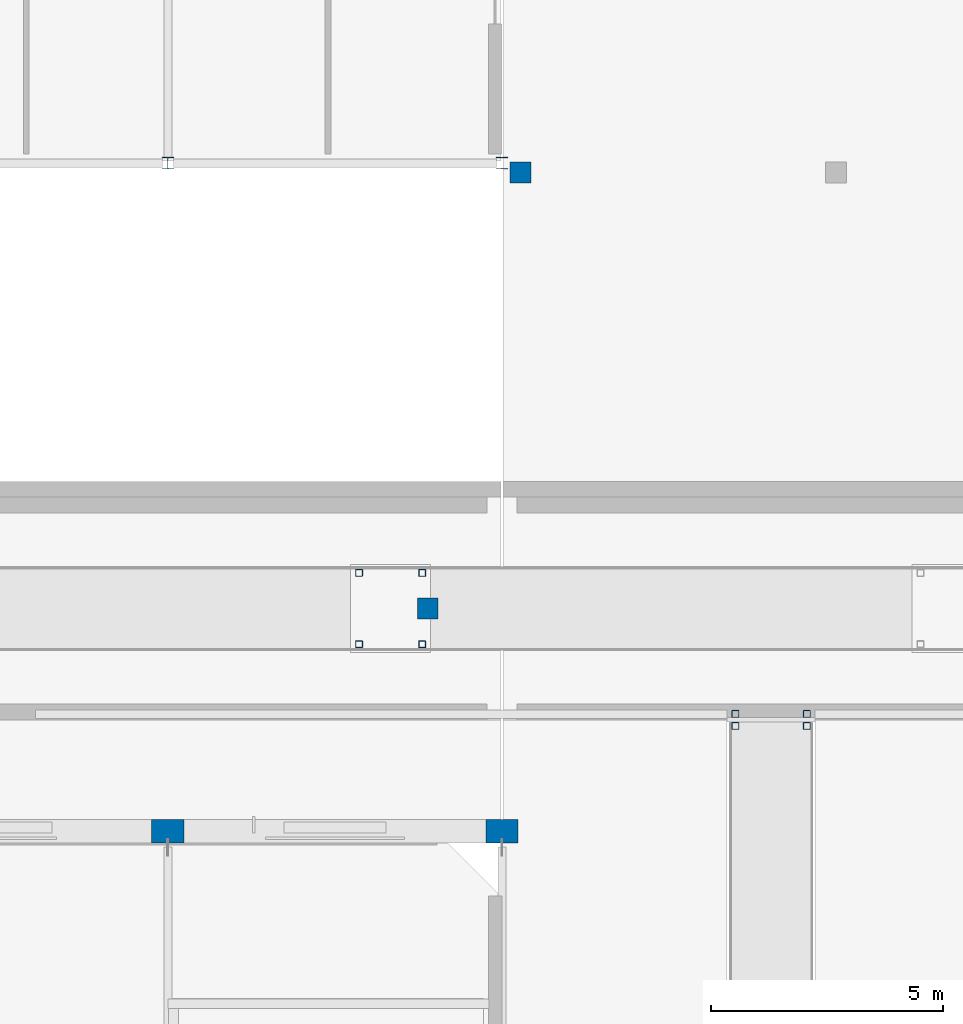
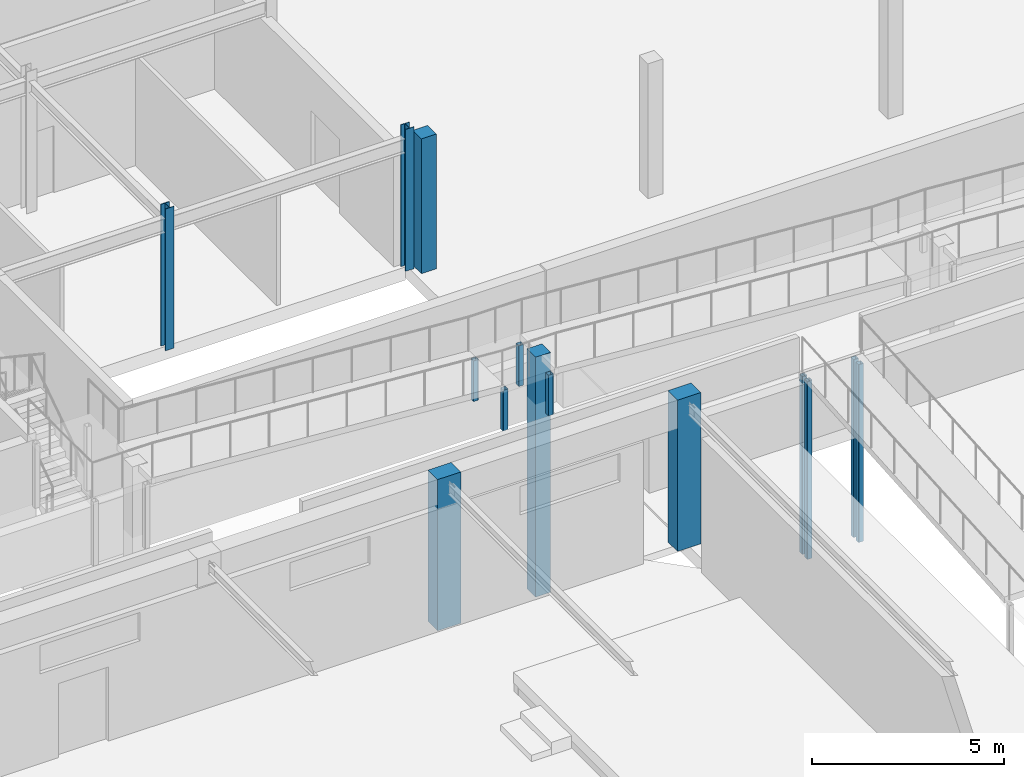
# One storey, part 18 of 85: 14 columns.
"""IFC4 building model written with IfcOpenShell, lengths in metres."""

from ifc_helpers import new_model, si_unit, direction, frame, origin, origin_2d, place, context, subcontext, project, spatial, rectangle, hollow_rectangle, i_section, extrude, material, material_profile, profile_set, type_object, element, save


model = new_model("IFC4")

# Units and contexts
model_context = context("Model", 3, precision=1e-05, world=origin(), true_north=direction((0.0, 1.0)))
body_context = subcontext(model_context, "Body", "Model", "MODEL_VIEW")
ifc_project = project(units=[si_unit("LENGTHUNIT", "METRE"), si_unit("AREAUNIT", "SQUARE_METRE"), si_unit("VOLUMEUNIT", "CUBIC_METRE"), si_unit("PLANEANGLEUNIT", "RADIAN"), si_unit("MASSUNIT", "GRAM", prefix="KILO")], contexts=[model_context])

# Site, building, storey
site_placement = place(None, origin())
site = spatial("IfcSite", under=ifc_project, at=site_placement, CompositionType="ELEMENT")
building_placement = place(site_placement, origin())
building = spatial("IfcBuilding", under=site, at=building_placement, Name="Ochrevale Crest", CompositionType="ELEMENT")
storey_placement = place(building_placement, origin())
storey = spatial("IfcBuildingStorey", under=building, at=storey_placement, Name="L00", CompositionType="ELEMENT", Elevation=0.0)

# Columns
ifc_material_1 = material(Name="Precast concrete C40/50", Category="concrete")
ifc_material_profile_1 = material_profile(ifc_material_1, rectangle(XDim=0.449951171875, YDim=0.449951171875, at=origin_2d()), Name="RC 450x450")
ifc_profile_set_1 = profile_set([ifc_material_profile_1], Name="Precast concrete C40/50")
column_type_1 = type_object("IfcColumnType", Name="COL-RC450x450", PredefinedType="COLUMN", material=ifc_profile_set_1)
column_1_placement = place(storey_placement, frame((106.39990234375, 69.60009765625, -3.860107421875), z_axis=(0.0, 0.0, 1.0), x_axis=(1.0, 0.0, 0.0)))
element("IfcColumn", 1, at=column_1_placement, inside=storey, type_object=column_type_1, Name="Foundation support pier FTG-PF-RE2B", PredefinedType="COLUMN", context=body_context, shape_type="SweptSolid", body=[
    extrude(rectangle(XDim=0.449951171875, YDim=0.449951171875, at=origin_2d()), origin(), (0.0, 0.0, 1.0), 7.610107421875),
])
column_2_placement = place(storey_placement, frame((108.39990234375, 79.0, 0.0), z_axis=(0.0, 0.0, 1.0), x_axis=(1.0, 0.0, 0.0)))
element("IfcColumn", 2, at=column_2_placement, inside=storey, type_object=column_type_1, Name="Step 3 promenade support column", PredefinedType="COLUMN", context=body_context, shape_type="SweptSolid", body=[
    extrude(rectangle(XDim=0.449951171875, YDim=0.449951171875, at=origin_2d()), origin(), (0.0, 0.0, 1.0), 4.27490234375),
])
ifc_material_2 = material(Name="Precast concrete C50/60", Category="concrete")
ifc_material_profile_2 = material_profile(ifc_material_2, rectangle(XDim=0.5, YDim=0.699951171875, at=origin_2d()), Name="RC 500x700")
ifc_profile_set_2 = profile_set([ifc_material_profile_2], Name="Precast concrete C50/60")
column_type_2 = type_object("IfcColumnType", Name="COL-RC500x700", PredefinedType="COLUMN", material=ifc_profile_set_2)
for number, where, z_axis, x_axis, name in (
    (3, (100.800048828125, 64.800048828125, 0.0), (0.0, 0.0, 1.0), (0.0, 1.0, 0.0), "Community Hall buttress column 7-N"),
    (4, (108.0, 64.800048828125, 0.0), (0.0, 0.0, 1.0), (0.0, 1.0, 0.0), "Community Hall buttress column 8-N"),
):
    element("IfcColumn", number, at=place(storey_placement, frame(where, z_axis=z_axis, x_axis=x_axis)), inside=storey, type_object=column_type_2, Name=name, PredefinedType="COLUMN", context=body_context, shape_type="SweptSolid", body=[
        extrude(rectangle(XDim=0.5, YDim=0.699951171875, at=origin_2d()), origin(), (0.0, 0.0, 1.0), 4.800048828125),
    ])
ifc_material_3 = material(Name="Steel S355", Category="steel")
ifc_material_profile_3 = material_profile(ifc_material_3, hollow_rectangle(XDim=0.14990234375, YDim=0.14990234375, WallThickness=0.006103515625, InnerFilletRadius=0.006103515625, OuterFilletRadius=0.011962890625, at=origin_2d()), Name="150x150x6.0SHS")
ifc_profile_set_3 = profile_set([ifc_material_profile_3], Name="Steel S355")
column_type_3 = type_object("IfcColumnType", Name="COL-SHS150", PredefinedType="COLUMN", material=ifc_profile_set_3)
for number, where, z_axis, x_axis, name in (
    (5, (113.030029296875, 67.330078125, -3.60009765625), (0.0, 0.0, 1.0), (1.0, 0.0, 0.0), "Ramp landing RMP-ACC-E1-TOP support post 1"),
    (6, (114.570068359375, 67.330078125, -3.60009765625), (0.0, 0.0, 1.0), (1.0, 0.0, 0.0), "Ramp landing RMP-ACC-E1-TOP support post 2"),
    (7, (113.030029296875, 67.070068359375, -3.60009765625), (0.0, 0.0, 1.0), (1.0, 0.0, 0.0), "Ramp landing RMP-ACC-E1-TOP support post 3"),
    (8, (114.570068359375, 67.070068359375, -3.60009765625), (0.0, 0.0, 1.0), (1.0, 0.0, 0.0), "Ramp landing RMP-ACC-E1-TOP support post 4"),
):
    element("IfcColumn", number, at=place(storey_placement, frame(where, z_axis=z_axis, x_axis=x_axis)), inside=storey, type_object=column_type_3, Name=name, PredefinedType="COLUMN", context=body_context, shape_type="SweptSolid", body=[
        extrude(hollow_rectangle(XDim=0.14990234375, YDim=0.14990234375, WallThickness=0.006103515625, InnerFilletRadius=0.006103515625, OuterFilletRadius=0.011962890625, at=origin_2d()), origin(), (0.0, 0.0, 1.0), 5.64013671875),
    ])
for number, where, z_axis, x_axis, name in (
    (9, (104.919921875, 68.830078125, 2.25), (0.0, 0.0, 1.0), (1.0, 0.0, 0.0), "Ramp landing RMP-ACC-E2-L2 support post 1"),
    (10, (106.280029296875, 68.830078125, 2.25), (0.0, 0.0, 1.0), (1.0, 0.0, 0.0), "Ramp landing RMP-ACC-E2-L2 support post 2"),
    (11, (104.919921875, 70.3701171875, 2.25), (0.0, 0.0, 1.0), (1.0, 0.0, 0.0), "Ramp landing RMP-ACC-E2-L2 support post 3"),
    (12, (106.280029296875, 70.3701171875, 2.25), (0.0, 0.0, 1.0), (1.0, 0.0, 0.0), "Ramp landing RMP-ACC-E2-L2 support post 4"),
):
    element("IfcColumn", number, at=place(storey_placement, frame(where, z_axis=z_axis, x_axis=x_axis)), inside=storey, type_object=column_type_3, Name=name, PredefinedType="COLUMN", context=body_context, shape_type="SweptSolid", body=[
        extrude(hollow_rectangle(XDim=0.14990234375, YDim=0.14990234375, WallThickness=0.006103515625, InnerFilletRadius=0.006103515625, OuterFilletRadius=0.011962890625, at=origin_2d()), origin(), (0.0, 0.0, 1.0), 1.2900390625),
    ])
ifc_material_profile_4 = material_profile(ifc_material_3, i_section(OverallWidth=0.256103515625, OverallDepth=0.260009765625, WebThickness=0.010498046875, FlangeThickness=0.017333984375, FilletRadius=0.0126953125, at=origin_2d()), Name="250UC89.5")
ifc_profile_set_4 = profile_set([ifc_material_profile_4], Name="Steel S355")
column_type_4 = type_object("IfcColumnType", Name="COL-UC250B", PredefinedType="COLUMN", material=ifc_profile_set_4)
for number, where, z_axis, x_axis, name in (
    (13, (100.800048828125, 79.199951171875, 0.0), (0.0, 0.0, 1.0), (1.0, 0.0, 0.0), "Nursery L00 steel column (100.8,79.2)"),
    (14, (108.0, 79.199951171875, 0.0), (0.0, 0.0, 1.0), (1.0, 0.0, 0.0), "Nursery L00 steel column (108.0,79.2)"),
):
    element("IfcColumn", number, at=place(storey_placement, frame(where, z_axis=z_axis, x_axis=x_axis)), inside=storey, type_object=column_type_4, Name=name, PredefinedType="COLUMN", context=body_context, shape_type="SweptSolid", body=[
        extrude(i_section(OverallWidth=0.256103515625, OverallDepth=0.260009765625, WebThickness=0.010498046875, FlangeThickness=0.017333984375, FilletRadius=0.0126953125, at=origin_2d()), origin(), (0.0, 0.0, 1.0), 4.5),
    ])

save(model, "model.ifc")
